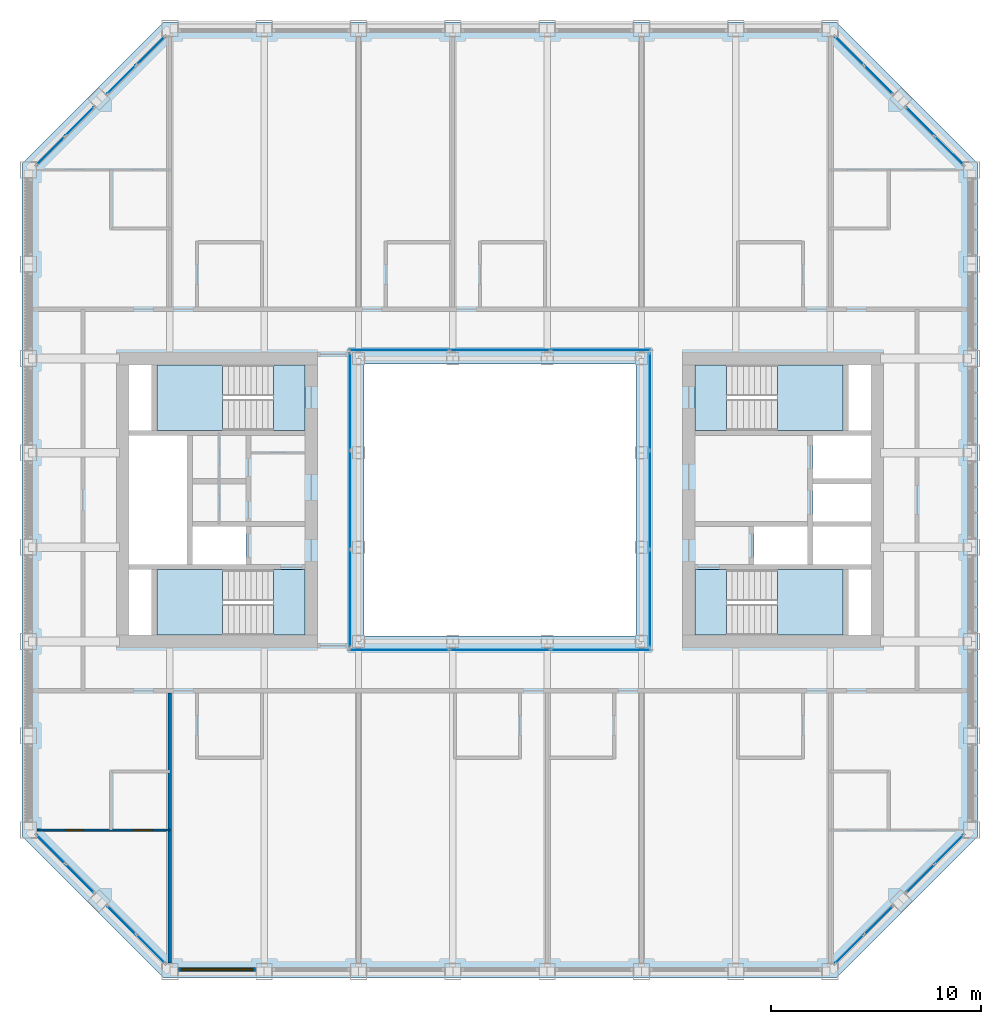
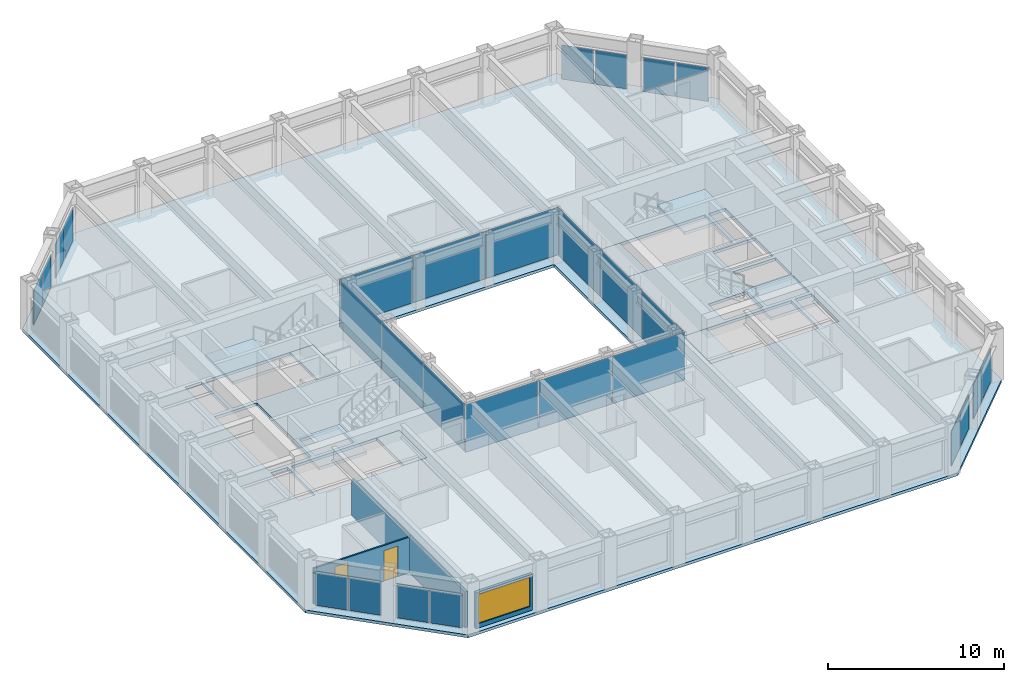
# One storey, part 9 of 17: 28 plates, 9 slabs, 3 walls, 2 doors, 1 window, 3 openings, 16 elements without a shape of their own.
"""IFC4 building model written with IfcOpenShell, lengths in metres."""

from ifc_helpers import new_model, si_unit, direction, frame, frame_2d, origin, origin_2d, place, context, subcontext, project, spatial, polyline, rectangle, outline, extrude, material, layer, layer_set, type_object, element, fill, aggregate, save


model = new_model("IFC4")

# Units and contexts
model_context = context("Model", 3, precision=1e-05, world=origin(), true_north=direction((0.0, 1.0)))
body_context = subcontext(model_context, "Body", "Model", "MODEL_VIEW")
ifc_project = project(units=[si_unit("LENGTHUNIT", "METRE"), si_unit("AREAUNIT", "SQUARE_METRE"), si_unit("VOLUMEUNIT", "CUBIC_METRE"), si_unit("PLANEANGLEUNIT", "RADIAN"), si_unit("MASSUNIT", "GRAM", prefix="KILO")], contexts=[model_context])

# Site, building, storey
site_placement = place(None, origin())
site = spatial("IfcSite", under=ifc_project, at=site_placement, CompositionType="ELEMENT")
building_placement = place(site_placement, origin())
building = spatial("IfcBuilding", under=site, at=building_placement, Name="Msasa Ring Tower", CompositionType="ELEMENT")
storey_placement = place(building_placement, frame((0.0, 0.0, 168.800048828125)))
storey = spatial("IfcBuildingStorey", under=building, at=storey_placement, Name="L44", CompositionType="ELEMENT", Elevation=168.800048828125)

# Curtain wall, plates
ifc_material_1 = material(Name="Aluminium curtain wall with clear glass", Category="aluminium")
curtain_wall_type_1 = type_object("IfcCurtainWallType", Name="CW-C CHAMFER CORNER CURTAIN WALL", PredefinedType="NOTDEFINED", material=ifc_material_1)
curtain_wall_1_placement = place(storey_placement, origin())
curtain_wall_1 = element("IfcCurtainWall", 1, at=curtain_wall_1_placement, inside=storey, type_object=curtain_wall_type_1, Name="Chamfer corner curtain wall SE L44", PredefinedType="NOTDEFINED")
ifc_material_2 = material(Name="Clear laminated insulating glass unit", Category="glass")
ifc_layer_1 = layer(ifc_material_2, 0.031982421875)
ifc_layer_set_1 = layer_set([ifc_layer_1], Name="CW-C GLASS PANEL 32")
plate_type_1 = type_object("IfcPlateType", Name="CW-C GLASS PANEL 32", PredefinedType="CURTAIN_PANEL", material=ifc_layer_set_1)
plate_1_placement = place(storey_placement, frame((16.677734375, -21.430908203125, 0.06494140625), z_axis=(0.0, 0.0, 1.0), x_axis=(0.707106781187, 0.707106781187, 0.0)))
plate_1 = element("IfcPlate", 2, at=plate_1_placement, type_object=plate_type_1, Name="CW-C panel 1.1", PredefinedType="CURTAIN_PANEL", context=body_context, shape_type="SweptSolid", body=[
    extrude(rectangle(XDim=1.884033203125, YDim=0.031982421875, at=origin_2d()), origin(), (0.0, 0.0, 1.0), 2.34912109375),
])
plate_2_placement = place(storey_placement, frame((18.055908203125, -20.052734375, 0.06494140625), z_axis=(0.0, 0.0, 1.0), x_axis=(0.707106781187, 0.707106781187, 0.0)))
plate_2 = element("IfcPlate", 3, at=plate_2_placement, type_object=plate_type_1, Name="CW-C panel 2.1", PredefinedType="CURTAIN_PANEL", context=body_context, shape_type="SweptSolid", body=[
    extrude(rectangle(XDim=1.884033203125, YDim=0.031982421875, at=origin_2d()), origin(), (0.0, 0.0, 1.0), 2.34912109375),
])
aggregate(curtain_wall_1, [plate_1, plate_2])

curtain_wall_2_placement = place(storey_placement, origin())
curtain_wall_2 = element("IfcCurtainWall", 4, at=curtain_wall_2_placement, inside=storey, type_object=curtain_wall_type_1, Name="Chamfer corner curtain wall SE L44", PredefinedType="NOTDEFINED")
plate_3_placement = place(storey_placement, frame((20.052734375, -18.055908203125, 0.06494140625), z_axis=(0.0, 0.0, 1.0), x_axis=(0.707106781187, 0.707106781187, 0.0)))
plate_3 = element("IfcPlate", 5, at=plate_3_placement, type_object=plate_type_1, Name="CW-C panel 1.1", PredefinedType="CURTAIN_PANEL", context=body_context, shape_type="SweptSolid", body=[
    extrude(rectangle(XDim=1.884033203125, YDim=0.031982421875, at=origin_2d()), origin(), (0.0, 0.0, 1.0), 2.34912109375),
])
plate_4_placement = place(storey_placement, frame((21.430908203125, -16.677734375, 0.06494140625), z_axis=(0.0, 0.0, 1.0), x_axis=(0.707106781187, 0.707106781187, 0.0)))
plate_4 = element("IfcPlate", 6, at=plate_4_placement, type_object=plate_type_1, Name="CW-C panel 2.1", PredefinedType="CURTAIN_PANEL", context=body_context, shape_type="SweptSolid", body=[
    extrude(rectangle(XDim=1.884033203125, YDim=0.031982421875, at=origin_2d()), origin(), (0.0, 0.0, 1.0), 2.34912109375),
])
aggregate(curtain_wall_2, [plate_3, plate_4])

curtain_wall_3_placement = place(storey_placement, origin())
curtain_wall_3 = element("IfcCurtainWall", 7, at=curtain_wall_3_placement, inside=storey, type_object=curtain_wall_type_1, Name="Chamfer corner curtain wall NE L44", PredefinedType="NOTDEFINED")
plate_5_placement = place(storey_placement, frame((18.055908203125, 20.052734375, 0.06494140625), z_axis=(0.0, 0.0, 1.0), x_axis=(-0.707106781187, 0.707106781187, 0.0)))
plate_5 = element("IfcPlate", 8, at=plate_5_placement, type_object=plate_type_1, Name="CW-C panel 1.1", PredefinedType="CURTAIN_PANEL", context=body_context, shape_type="SweptSolid", body=[
    extrude(rectangle(XDim=1.884033203125, YDim=0.031982421875, at=origin_2d()), origin(), (0.0, 0.0, 1.0), 2.34912109375),
])
plate_6_placement = place(storey_placement, frame((16.677734375, 21.430908203125, 0.06494140625), z_axis=(0.0, 0.0, 1.0), x_axis=(-0.707106781187, 0.707106781187, 0.0)))
plate_6 = element("IfcPlate", 9, at=plate_6_placement, type_object=plate_type_1, Name="CW-C panel 2.1", PredefinedType="CURTAIN_PANEL", context=body_context, shape_type="SweptSolid", body=[
    extrude(rectangle(XDim=1.884033203125, YDim=0.031982421875, at=origin_2d()), origin(), (0.0, 0.0, 1.0), 2.34912109375),
])
aggregate(curtain_wall_3, [plate_5, plate_6])

curtain_wall_4_placement = place(storey_placement, origin())
curtain_wall_4 = element("IfcCurtainWall", 10, at=curtain_wall_4_placement, inside=storey, type_object=curtain_wall_type_1, Name="Chamfer corner curtain wall NE L44", PredefinedType="NOTDEFINED")
plate_7_placement = place(storey_placement, frame((21.430908203125, 16.677734375, 0.06494140625), z_axis=(0.0, 0.0, 1.0), x_axis=(-0.707106781187, 0.707106781187, 0.0)))
plate_7 = element("IfcPlate", 11, at=plate_7_placement, type_object=plate_type_1, Name="CW-C panel 1.1", PredefinedType="CURTAIN_PANEL", context=body_context, shape_type="SweptSolid", body=[
    extrude(rectangle(XDim=1.884033203125, YDim=0.031982421875, at=origin_2d()), origin(), (0.0, 0.0, 1.0), 2.34912109375),
])
plate_8_placement = place(storey_placement, frame((20.052734375, 18.055908203125, 0.06494140625), z_axis=(0.0, 0.0, 1.0), x_axis=(-0.707106781187, 0.707106781187, 0.0)))
plate_8 = element("IfcPlate", 12, at=plate_8_placement, type_object=plate_type_1, Name="CW-C panel 2.1", PredefinedType="CURTAIN_PANEL", context=body_context, shape_type="SweptSolid", body=[
    extrude(rectangle(XDim=1.884033203125, YDim=0.031982421875, at=origin_2d()), origin(), (0.0, 0.0, 1.0), 2.34912109375),
])
aggregate(curtain_wall_4, [plate_7, plate_8])

curtain_wall_5_placement = place(storey_placement, origin())
curtain_wall_5 = element("IfcCurtainWall", 13, at=curtain_wall_5_placement, inside=storey, type_object=curtain_wall_type_1, Name="Chamfer corner curtain wall NW L44", PredefinedType="NOTDEFINED")
plate_9_placement = place(storey_placement, frame((-20.052734375, 18.055908203125, 0.06494140625), z_axis=(0.0, 0.0, 1.0), x_axis=(-0.707106781187, -0.707106781187, 0.0)))
plate_9 = element("IfcPlate", 14, at=plate_9_placement, type_object=plate_type_1, Name="CW-C panel 1.1", PredefinedType="CURTAIN_PANEL", context=body_context, shape_type="SweptSolid", body=[
    extrude(rectangle(XDim=1.884033203125, YDim=0.031982421875, at=origin_2d()), origin(), (0.0, 0.0, 1.0), 2.34912109375),
])
plate_10_placement = place(storey_placement, frame((-21.430908203125, 16.677734375, 0.06494140625), z_axis=(0.0, 0.0, 1.0), x_axis=(-0.707106781187, -0.707106781187, 0.0)))
plate_10 = element("IfcPlate", 15, at=plate_10_placement, type_object=plate_type_1, Name="CW-C panel 2.1", PredefinedType="CURTAIN_PANEL", context=body_context, shape_type="SweptSolid", body=[
    extrude(rectangle(XDim=1.884033203125, YDim=0.031982421875, at=origin_2d()), origin(), (0.0, 0.0, 1.0), 2.34912109375),
])
aggregate(curtain_wall_5, [plate_9, plate_10])

curtain_wall_6_placement = place(storey_placement, origin())
curtain_wall_6 = element("IfcCurtainWall", 16, at=curtain_wall_6_placement, inside=storey, type_object=curtain_wall_type_1, Name="Chamfer corner curtain wall NW L44", PredefinedType="NOTDEFINED")
plate_11_placement = place(storey_placement, frame((-16.677734375, 21.430908203125, 0.06494140625), z_axis=(0.0, 0.0, 1.0), x_axis=(-0.707106781187, -0.707106781187, 0.0)))
plate_11 = element("IfcPlate", 17, at=plate_11_placement, type_object=plate_type_1, Name="CW-C panel 1.1", PredefinedType="CURTAIN_PANEL", context=body_context, shape_type="SweptSolid", body=[
    extrude(rectangle(XDim=1.884033203125, YDim=0.031982421875, at=origin_2d()), origin(), (0.0, 0.0, 1.0), 2.34912109375),
])
plate_12_placement = place(storey_placement, frame((-18.055908203125, 20.052734375, 0.06494140625), z_axis=(0.0, 0.0, 1.0), x_axis=(-0.707106781187, -0.707106781187, 0.0)))
plate_12 = element("IfcPlate", 18, at=plate_12_placement, type_object=plate_type_1, Name="CW-C panel 2.1", PredefinedType="CURTAIN_PANEL", context=body_context, shape_type="SweptSolid", body=[
    extrude(rectangle(XDim=1.884033203125, YDim=0.031982421875, at=origin_2d()), origin(), (0.0, 0.0, 1.0), 2.34912109375),
])
aggregate(curtain_wall_6, [plate_11, plate_12])

curtain_wall_7_placement = place(storey_placement, origin())
curtain_wall_7 = element("IfcCurtainWall", 19, at=curtain_wall_7_placement, inside=storey, type_object=curtain_wall_type_1, Name="Chamfer corner curtain wall SW L44", PredefinedType="NOTDEFINED")
plate_13_placement = place(storey_placement, frame((-21.430908203125, -16.677734375, 0.06494140625), z_axis=(0.0, 0.0, 1.0), x_axis=(0.707106781187, -0.707106781187, 0.0)))
plate_13 = element("IfcPlate", 20, at=plate_13_placement, type_object=plate_type_1, Name="CW-C panel 1.1", PredefinedType="CURTAIN_PANEL", context=body_context, shape_type="SweptSolid", body=[
    extrude(rectangle(XDim=1.884033203125, YDim=0.031982421875, at=origin_2d()), origin(), (0.0, 0.0, 1.0), 2.34912109375),
])
plate_14_placement = place(storey_placement, frame((-20.052734375, -18.055908203125, 0.06494140625), z_axis=(0.0, 0.0, 1.0), x_axis=(0.707106781187, -0.707106781187, 0.0)))
plate_14 = element("IfcPlate", 21, at=plate_14_placement, type_object=plate_type_1, Name="CW-C panel 2.1", PredefinedType="CURTAIN_PANEL", context=body_context, shape_type="SweptSolid", body=[
    extrude(rectangle(XDim=1.884033203125, YDim=0.031982421875, at=origin_2d()), origin(), (0.0, 0.0, 1.0), 2.34912109375),
])
aggregate(curtain_wall_7, [plate_13, plate_14])

curtain_wall_8_placement = place(storey_placement, origin())
curtain_wall_8 = element("IfcCurtainWall", 22, at=curtain_wall_8_placement, inside=storey, type_object=curtain_wall_type_1, Name="Chamfer corner curtain wall SW L44", PredefinedType="NOTDEFINED")
plate_15_placement = place(storey_placement, frame((-18.055908203125, -20.052734375, 0.06494140625), z_axis=(0.0, 0.0, 1.0), x_axis=(0.707106781187, -0.707106781187, 0.0)))
plate_15 = element("IfcPlate", 23, at=plate_15_placement, type_object=plate_type_1, Name="CW-C panel 1.1", PredefinedType="CURTAIN_PANEL", context=body_context, shape_type="SweptSolid", body=[
    extrude(rectangle(XDim=1.884033203125, YDim=0.031982421875, at=origin_2d()), origin(), (0.0, 0.0, 1.0), 2.34912109375),
])
plate_16_placement = place(storey_placement, frame((-16.677734375, -21.430908203125, 0.06494140625), z_axis=(0.0, 0.0, 1.0), x_axis=(0.707106781187, -0.707106781187, 0.0)))
plate_16 = element("IfcPlate", 24, at=plate_16_placement, type_object=plate_type_1, Name="CW-C panel 2.1", PredefinedType="CURTAIN_PANEL", context=body_context, shape_type="SweptSolid", body=[
    extrude(rectangle(XDim=1.884033203125, YDim=0.031982421875, at=origin_2d()), origin(), (0.0, 0.0, 1.0), 2.34912109375),
])
aggregate(curtain_wall_8, [plate_15, plate_16])

ifc_material_3 = material(Name="Aluminium curtain wall with clear glass", Category="aluminium")
curtain_wall_type_2 = type_object("IfcCurtainWallType", Name="CW-W LIGHT WELL CURTAIN WALL", PredefinedType="NOTDEFINED", material=ifc_material_3)
curtain_wall_9_placement = place(storey_placement, origin())
curtain_wall_9 = element("IfcCurtainWall", 25, at=curtain_wall_9_placement, inside=storey, type_object=curtain_wall_type_2, Name="Light well curtain wall N L44", PredefinedType="NOTDEFINED")
ifc_material_4 = material(Name="Clear laminated insulating glass unit", Category="glass")
ifc_layer_2 = layer(ifc_material_4, 0.028076171875)
ifc_layer_set_2 = layer_set([ifc_layer_2], Name="CW-W GLASS PANEL 28")
plate_type_2 = type_object("IfcPlateType", Name="CW-W GLASS PANEL 28", PredefinedType="CURTAIN_PANEL", material=ifc_layer_set_2)
plate_17_placement = place(storey_placement, frame((-4.804931640625, 7.14990234375, 0.06005859375), z_axis=(0.0, 0.0, 1.0), x_axis=(1.0, 0.0, 0.0)))
plate_17 = element("IfcPlate", 26, at=plate_17_placement, type_object=plate_type_2, Name="CW-W panel 1.1", PredefinedType="CURTAIN_PANEL", context=body_context, shape_type="SweptSolid", body=[
    extrude(rectangle(XDim=4.72998046875, YDim=0.028076171875, at=origin_2d()), origin(), (0.0, 0.0, 1.0), 3.280029296875),
])
plate_18_placement = place(storey_placement, frame((0.0, 7.14990234375, 0.06005859375), z_axis=(0.0, 0.0, 1.0), x_axis=(1.0, 0.0, 0.0)))
plate_18 = element("IfcPlate", 27, at=plate_18_placement, type_object=plate_type_2, Name="CW-W panel 2.1", PredefinedType="CURTAIN_PANEL", context=body_context, shape_type="SweptSolid", body=[
    extrude(rectangle(XDim=4.760009765625, YDim=0.028076171875, at=origin_2d()), origin(), (0.0, 0.0, 1.0), 3.280029296875),
])
plate_19_placement = place(storey_placement, frame((4.804931640625, 7.14990234375, 0.06005859375), z_axis=(0.0, 0.0, 1.0), x_axis=(1.0, 0.0, 0.0)))
plate_19 = element("IfcPlate", 28, at=plate_19_placement, type_object=plate_type_2, Name="CW-W panel 3.1", PredefinedType="CURTAIN_PANEL", context=body_context, shape_type="SweptSolid", body=[
    extrude(rectangle(XDim=4.72998046875, YDim=0.028076171875, at=origin_2d()), origin(), (0.0, 0.0, 1.0), 3.280029296875),
])
aggregate(curtain_wall_9, [plate_17, plate_18, plate_19])

curtain_wall_10_placement = place(storey_placement, origin())
curtain_wall_10 = element("IfcCurtainWall", 29, at=curtain_wall_10_placement, inside=storey, type_object=curtain_wall_type_2, Name="Light well curtain wall S L44", PredefinedType="NOTDEFINED")
plate_20_placement = place(storey_placement, frame((-4.804931640625, -7.14990234375, 0.06005859375), z_axis=(0.0, 0.0, 1.0), x_axis=(1.0, 0.0, 0.0)))
plate_20 = element("IfcPlate", 30, at=plate_20_placement, type_object=plate_type_2, Name="CW-W panel 1.1", PredefinedType="CURTAIN_PANEL", context=body_context, shape_type="SweptSolid", body=[
    extrude(rectangle(XDim=4.72998046875, YDim=0.028076171875, at=origin_2d()), origin(), (0.0, 0.0, 1.0), 3.280029296875),
])
plate_21_placement = place(storey_placement, frame((0.0, -7.14990234375, 0.06005859375), z_axis=(0.0, 0.0, 1.0), x_axis=(1.0, 0.0, 0.0)))
plate_21 = element("IfcPlate", 31, at=plate_21_placement, type_object=plate_type_2, Name="CW-W panel 2.1", PredefinedType="CURTAIN_PANEL", context=body_context, shape_type="SweptSolid", body=[
    extrude(rectangle(XDim=4.760009765625, YDim=0.028076171875, at=origin_2d()), origin(), (0.0, 0.0, 1.0), 3.280029296875),
])
plate_22_placement = place(storey_placement, frame((4.804931640625, -7.14990234375, 0.06005859375), z_axis=(0.0, 0.0, 1.0), x_axis=(1.0, 0.0, 0.0)))
plate_22 = element("IfcPlate", 32, at=plate_22_placement, type_object=plate_type_2, Name="CW-W panel 3.1", PredefinedType="CURTAIN_PANEL", context=body_context, shape_type="SweptSolid", body=[
    extrude(rectangle(XDim=4.72998046875, YDim=0.028076171875, at=origin_2d()), origin(), (0.0, 0.0, 1.0), 3.280029296875),
])
aggregate(curtain_wall_10, [plate_20, plate_21, plate_22])

curtain_wall_11_placement = place(storey_placement, origin())
curtain_wall_11 = element("IfcCurtainWall", 33, at=curtain_wall_11_placement, inside=storey, type_object=curtain_wall_type_2, Name="Light well curtain wall E L44", PredefinedType="NOTDEFINED")
plate_23_placement = place(storey_placement, frame((7.14990234375, -4.6982421875, 0.06005859375), z_axis=(0.0, 0.0, 1.0), x_axis=(0.0, 1.0, 0.0)))
plate_23 = element("IfcPlate", 34, at=plate_23_placement, type_object=plate_type_2, Name="CW-W panel 1.1", PredefinedType="CURTAIN_PANEL", context=body_context, shape_type="SweptSolid", body=[
    extrude(rectangle(XDim=4.623291015625, YDim=0.028076171875, at=origin_2d()), origin(), (0.0, 0.0, 1.0), 3.280029296875),
])
plate_24_placement = place(storey_placement, frame((7.14990234375, 0.0, 0.06005859375), z_axis=(0.0, 0.0, 1.0), x_axis=(0.0, 1.0, 0.0)))
plate_24 = element("IfcPlate", 35, at=plate_24_placement, type_object=plate_type_2, Name="CW-W panel 2.1", PredefinedType="CURTAIN_PANEL", context=body_context, shape_type="SweptSolid", body=[
    extrude(rectangle(XDim=4.6533203125, YDim=0.028076171875, at=origin_2d()), origin(), (0.0, 0.0, 1.0), 3.280029296875),
])
plate_25_placement = place(storey_placement, frame((7.14990234375, 4.6982421875, 0.06005859375), z_axis=(0.0, 0.0, 1.0), x_axis=(0.0, 1.0, 0.0)))
plate_25 = element("IfcPlate", 36, at=plate_25_placement, type_object=plate_type_2, Name="CW-W panel 3.1", PredefinedType="CURTAIN_PANEL", context=body_context, shape_type="SweptSolid", body=[
    extrude(rectangle(XDim=4.623291015625, YDim=0.028076171875, at=origin_2d()), origin(), (0.0, 0.0, 1.0), 3.280029296875),
])
aggregate(curtain_wall_11, [plate_23, plate_24, plate_25])

curtain_wall_12_placement = place(storey_placement, origin())
curtain_wall_12 = element("IfcCurtainWall", 37, at=curtain_wall_12_placement, inside=storey, type_object=curtain_wall_type_2, Name="Light well curtain wall W L44", PredefinedType="NOTDEFINED")
plate_26_placement = place(storey_placement, frame((-7.14990234375, -4.6982421875, 0.06005859375), z_axis=(0.0, 0.0, 1.0), x_axis=(0.0, 1.0, 0.0)))
plate_26 = element("IfcPlate", 38, at=plate_26_placement, type_object=plate_type_2, Name="CW-W panel 1.1", PredefinedType="CURTAIN_PANEL", context=body_context, shape_type="SweptSolid", body=[
    extrude(rectangle(XDim=4.623291015625, YDim=0.028076171875, at=origin_2d()), origin(), (0.0, 0.0, 1.0), 3.280029296875),
])
plate_27_placement = place(storey_placement, frame((-7.14990234375, 0.0, 0.06005859375), z_axis=(0.0, 0.0, 1.0), x_axis=(0.0, 1.0, 0.0)))
plate_27 = element("IfcPlate", 39, at=plate_27_placement, type_object=plate_type_2, Name="CW-W panel 2.1", PredefinedType="CURTAIN_PANEL", context=body_context, shape_type="SweptSolid", body=[
    extrude(rectangle(XDim=4.6533203125, YDim=0.028076171875, at=origin_2d()), origin(), (0.0, 0.0, 1.0), 3.280029296875),
])
plate_28_placement = place(storey_placement, frame((-7.14990234375, 4.6982421875, 0.06005859375), z_axis=(0.0, 0.0, 1.0), x_axis=(0.0, 1.0, 0.0)))
plate_28 = element("IfcPlate", 40, at=plate_28_placement, type_object=plate_type_2, Name="CW-W panel 3.1", PredefinedType="CURTAIN_PANEL", context=body_context, shape_type="SweptSolid", body=[
    extrude(rectangle(XDim=4.623291015625, YDim=0.028076171875, at=origin_2d()), origin(), (0.0, 0.0, 1.0), 3.280029296875),
])
aggregate(curtain_wall_12, [plate_26, plate_27, plate_28])

# Stair, slabs
ifc_material_5 = material(Name="Concrete C40/50", Category="concrete")
stair_type = type_object("IfcStairType", Name="STC CORE STAIR 20 RISERS 180", PredefinedType="HALF_TURN_STAIR", material=ifc_material_5)
stair_1_placement = place(storey_placement, origin())
stair_1 = element("IfcStair", 41, at=stair_1_placement, inside=storey, type_object=stair_type, Name="Core stair SEA L44", PredefinedType="HALF_TURN_STAIR")
ifc_material_6 = material(Name="Concrete C40/50", Category="concrete")
ifc_layer_3 = layer(ifc_material_6, 0.199951171875)
ifc_layer_set_3 = layer_set([ifc_layer_3], Name="LD1 CORE STAIR LANDING 200")
slab_type_1 = type_object("IfcSlabType", Name="LD1 CORE STAIR LANDING 200", PredefinedType="LANDING", material=ifc_layer_set_3)
slab_1_placement = place(storey_placement, frame((0.0, 0.0, -0.199951171875)))
slab_1 = element("IfcSlab", 42, at=slab_1_placement, type_object=slab_type_1, Name="SEA landing 1", PredefinedType="LANDING", context=body_context, shape_type="SweptSolid", body=[
    extrude(outline(polyline([(9.300048828125, -6.449951171875), (10.800048828125, -6.449951171875), (10.800048828125, -3.324951171875), (9.300048828125, -3.324951171875), (9.300048828125, -6.449951171875)])), origin(), (0.0, 0.0, 1.0), 0.199951171875),
])
slab_2_placement = place(storey_placement, frame((0.0, 0.0, 1.599853515625)))
slab_2 = element("IfcSlab", 43, at=slab_2_placement, type_object=slab_type_1, Name="SEA landing 2", PredefinedType="LANDING", context=body_context, shape_type="SweptSolid", body=[
    extrude(outline(polyline([(13.22998046875, -6.449951171875), (16.375, -6.449951171875), (16.375, -3.324951171875), (13.22998046875, -3.324951171875), (13.22998046875, -6.449951171875)])), origin(), (0.0, 0.0, 1.0), 0.2001953125),
])
aggregate(stair_1, [slab_1, slab_2])

stair_2_placement = place(storey_placement, origin())
stair_2 = element("IfcStair", 44, at=stair_2_placement, inside=storey, type_object=stair_type, Name="Core stair SEB L44", PredefinedType="HALF_TURN_STAIR")
slab_3_placement = place(storey_placement, frame((0.0, 0.0, -0.199951171875)))
slab_3 = element("IfcSlab", 45, at=slab_3_placement, type_object=slab_type_1, Name="SEB landing 1", PredefinedType="LANDING", context=body_context, shape_type="SweptSolid", body=[
    extrude(outline(polyline([(9.300048828125, 3.324951171875), (10.800048828125, 3.324951171875), (10.800048828125, 6.449951171875), (9.300048828125, 6.449951171875), (9.300048828125, 3.324951171875)])), origin(), (0.0, 0.0, 1.0), 0.199951171875),
])
slab_4_placement = place(storey_placement, frame((0.0, 0.0, 1.599853515625)))
slab_4 = element("IfcSlab", 46, at=slab_4_placement, type_object=slab_type_1, Name="SEB landing 2", PredefinedType="LANDING", context=body_context, shape_type="SweptSolid", body=[
    extrude(outline(polyline([(13.22998046875, 3.324951171875), (16.375, 3.324951171875), (16.375, 6.449951171875), (13.22998046875, 6.449951171875), (13.22998046875, 3.324951171875)])), origin(), (0.0, 0.0, 1.0), 0.2001953125),
])
aggregate(stair_2, [slab_3, slab_4])

stair_3_placement = place(storey_placement, origin())
stair_3 = element("IfcStair", 47, at=stair_3_placement, inside=storey, type_object=stair_type, Name="Core stair SWA L44", PredefinedType="HALF_TURN_STAIR")
slab_5_placement = place(storey_placement, frame((0.0, 0.0, -0.199951171875)))
slab_5 = element("IfcSlab", 48, at=slab_5_placement, type_object=slab_type_1, Name="SWA landing 1", PredefinedType="LANDING", context=body_context, shape_type="SweptSolid", body=[
    extrude(outline(polyline([(-10.800048828125, -6.449951171875), (-9.300048828125, -6.449951171875), (-9.300048828125, -3.324951171875), (-10.800048828125, -3.324951171875), (-10.800048828125, -6.449951171875)])), origin(), (0.0, 0.0, 1.0), 0.199951171875),
])
slab_6_placement = place(storey_placement, frame((0.0, 0.0, 1.599853515625)))
slab_6 = element("IfcSlab", 49, at=slab_6_placement, type_object=slab_type_1, Name="SWA landing 2", PredefinedType="LANDING", context=body_context, shape_type="SweptSolid", body=[
    extrude(outline(polyline([(-16.375, -6.449951171875), (-13.22998046875, -6.449951171875), (-13.22998046875, -3.324951171875), (-16.375, -3.324951171875), (-16.375, -6.449951171875)])), origin(), (0.0, 0.0, 1.0), 0.2001953125),
])
aggregate(stair_3, [slab_5, slab_6])

stair_4_placement = place(storey_placement, origin())
stair_4 = element("IfcStair", 50, at=stair_4_placement, inside=storey, type_object=stair_type, Name="Core stair SWB L44", PredefinedType="HALF_TURN_STAIR")
slab_7_placement = place(storey_placement, frame((0.0, 0.0, -0.199951171875)))
slab_7 = element("IfcSlab", 51, at=slab_7_placement, type_object=slab_type_1, Name="SWB landing 1", PredefinedType="LANDING", context=body_context, shape_type="SweptSolid", body=[
    extrude(outline(polyline([(-10.800048828125, 3.324951171875), (-9.300048828125, 3.324951171875), (-9.300048828125, 6.449951171875), (-10.800048828125, 6.449951171875), (-10.800048828125, 3.324951171875)])), origin(), (0.0, 0.0, 1.0), 0.199951171875),
])
slab_8_placement = place(storey_placement, frame((0.0, 0.0, 1.599853515625)))
slab_8 = element("IfcSlab", 52, at=slab_8_placement, type_object=slab_type_1, Name="SWB landing 2", PredefinedType="LANDING", context=body_context, shape_type="SweptSolid", body=[
    extrude(outline(polyline([(-16.375, 3.324951171875), (-13.22998046875, 3.324951171875), (-13.22998046875, 6.449951171875), (-16.375, 6.449951171875), (-16.375, 3.324951171875)])), origin(), (0.0, 0.0, 1.0), 0.2001953125),
])
aggregate(stair_4, [slab_7, slab_8])

# Slab
ifc_material_7 = material(Name="Concrete C40/50", Category="concrete")
ifc_layer_4 = layer(ifc_material_7, 0.199951171875)
ifc_layer_set_4 = layer_set([ifc_layer_4], Name="S6 GUEST FLOOR 200")
slab_type_2 = type_object("IfcSlabType", Name="S6 GUEST FLOOR 200", PredefinedType="FLOOR", material=ifc_layer_set_4)
slab_9_placement = place(storey_placement, frame((0.0, 0.0, -0.199951171875)))
element("IfcSlab", 53, at=slab_9_placement, inside=storey, type_object=slab_type_2, Name="Floor slab L44", PredefinedType="FLOOR", context=body_context, shape_type="SweptSolid", body=[
    extrude(outline(polyline([(-16.050048828125, -22.800048828125), (16.050048828125, -22.800048828125), (22.800048828125, -16.050048828125), (22.800048828125, 16.050048828125), (16.050048828125, 22.800048828125), (-16.050048828125, 22.800048828125), (-22.800048828125, 16.050048828125), (-22.800048828125, -16.050048828125), (-16.050048828125, -22.800048828125)]), holes=[polyline([(-6.5, -6.5), (6.5, -6.5), (6.5, 6.5), (-6.5, 6.5), (-6.5, -6.5)]), polyline([(9.300048828125, -6.449951171875), (16.375, -6.449951171875), (16.375, -3.324951171875), (9.300048828125, -3.324951171875), (9.300048828125, -6.449951171875)]), polyline([(9.300048828125, 3.324951171875), (16.375, 3.324951171875), (16.375, 6.449951171875), (9.300048828125, 6.449951171875), (9.300048828125, 3.324951171875)]), polyline([(12.125, -3.074951171875), (14.675048828125, -3.074951171875), (14.675048828125, -1.27490234375), (12.125, -1.27490234375), (12.125, -3.074951171875)]), polyline([(16.625, -6.449951171875), (17.699951171875, -6.449951171875), (17.699951171875, -3.324951171875), (16.625, -3.324951171875), (16.625, -6.449951171875)]), polyline([(16.625, 3.324951171875), (17.699951171875, 3.324951171875), (17.699951171875, 6.449951171875), (16.625, 6.449951171875), (16.625, 3.324951171875)]), polyline([(14.925048828125, -3.074951171875), (17.699951171875, -3.074951171875), (17.699951171875, -1.27490234375), (14.925048828125, -1.27490234375), (14.925048828125, -3.074951171875)]), polyline([(14.925048828125, -1.02490234375), (17.699951171875, -1.02490234375), (17.699951171875, 0.77490234375), (14.925048828125, 0.77490234375), (14.925048828125, -1.02490234375)]), polyline([(14.925048828125, 1.02490234375), (17.699951171875, 1.02490234375), (17.699951171875, 3.074951171875), (14.925048828125, 3.074951171875), (14.925048828125, 1.02490234375)]), polyline([(-16.375, -6.449951171875), (-9.300048828125, -6.449951171875), (-9.300048828125, -3.324951171875), (-16.375, -3.324951171875), (-16.375, -6.449951171875)]), polyline([(-16.375, 3.324951171875), (-9.300048828125, 3.324951171875), (-9.300048828125, 6.449951171875), (-16.375, 6.449951171875), (-16.375, 3.324951171875)]), polyline([(-14.675048828125, -3.074951171875), (-12.125, -3.074951171875), (-12.125, -1.27490234375), (-14.675048828125, -1.27490234375), (-14.675048828125, -3.074951171875)]), polyline([(-17.699951171875, -6.449951171875), (-16.625, -6.449951171875), (-16.625, -3.324951171875), (-17.699951171875, -3.324951171875), (-17.699951171875, -6.449951171875)]), polyline([(-17.699951171875, 3.324951171875), (-16.625, 3.324951171875), (-16.625, 6.449951171875), (-17.699951171875, 6.449951171875), (-17.699951171875, 3.324951171875)]), polyline([(-17.699951171875, -3.074951171875), (-14.925048828125, -3.074951171875), (-14.925048828125, 3.074951171875), (-17.699951171875, 3.074951171875), (-17.699951171875, -3.074951171875)])]), origin(), (0.0, 0.0, 1.0), 0.199951171875),
])

# Wall, opening, window
ifc_material_8 = material(Name="Terracotta rainscreen on blockwork", Category="masonry")
ifc_layer_5 = layer(ifc_material_8, 0.199951171875)
ifc_layer_set_5 = layer_set([ifc_layer_5], Name="FW1 TERRACOTTA-LINED INFILL BAY WALL 200")
wall_type_1 = type_object("IfcWallType", Name="FW1 TERRACOTTA-LINED INFILL BAY WALL 200", PredefinedType="SOLIDWALL", material=ifc_layer_set_5)
wall_1_placement = place(storey_placement, frame((-15.344970703125, -22.39990234375, 0.0), z_axis=(0.0, 0.0, 1.0), x_axis=(1.0, 0.0, 0.0)))
wall_1 = element("IfcWall", 54, at=wall_1_placement, inside=storey, type_object=wall_type_1, Name="Infill bay wall S L44 00", PredefinedType="SOLIDWALL", context=body_context, shape_type="SweptSolid", body=[
    extrude(rectangle(XDim=3.68994140625, YDim=0.199951171875, at=frame_2d((1.844970703125, 0.0))), origin(), (0.0, 0.0, 1.0), 2.47900390625),
])
opening_1_placement = place(wall_1_placement, frame((0.14501953125, 0.0, 0.300048828125)))
opening_1 = element("IfcOpeningElement", 55, at=opening_1_placement, cuts=wall_1, Name="Opening WN2", PredefinedType="OPENING", context=body_context, shape_type="SweptSolid", body=[
    extrude(rectangle(XDim=3.39990234375, YDim=2.029052734375, at=frame_2d((1.699951171875, 1.0146484375))), frame((0.0, 0.10986328125, 0.0), z_axis=(0.0, -1.0, 0.0), x_axis=(1.0, 0.0, 0.0)), (0.0, 0.0, 1.0), 0.219970703125),
])
ifc_material_9 = material(Name="Aluminium frame with clear glass", Category="aluminium")
window_type = type_object("IfcWindowType", Name="WN2 GUEST ROOM WINDOW 3400x2029", PartitioningType="SINGLE_PANEL", PredefinedType="WINDOW", material=ifc_material_9)
window_placement = place(opening_1_placement, origin())
window = element("IfcWindow", 56, at=window_placement, inside=storey, type_object=window_type, Name="Window S L44 00", OverallHeight=2.029052734375, OverallWidth=3.39990234375, PartitioningType="SINGLE_PANEL", PredefinedType="WINDOW", context=body_context, shape_type="SweptSolid", body=[
    extrude(rectangle(XDim=3.39990234375, YDim=2.029052734375, at=frame_2d((1.699951171875, 1.0146484375))), frame((0.0, 0.030029296875, 0.0), z_axis=(0.0, -1.0, 0.0), x_axis=(1.0, 0.0, 0.0)), (0.0, 0.0, 1.0), 0.06005859375),
])
fill(opening_1, window)

# Wall, openings, doors
ifc_material_10 = material(Name="Gypsum board on steel studs", Category="steel")
ifc_layer_6 = layer(ifc_material_10, 0.10009765625)
ifc_layer_set_6 = layer_set([ifc_layer_6], Name="PT2 STUD PARTITION 100")
wall_type_2 = type_object("IfcWallType", Name="PT2 STUD PARTITION 100", PredefinedType="PARTITIONING", material=ifc_layer_set_6)
wall_2_placement = place(storey_placement, frame((-22.10009765625, -15.75, 0.0), z_axis=(0.0, 0.0, 1.0), x_axis=(1.0, 0.0, 0.0)))
wall_2 = element("IfcWall", 57, at=wall_2_placement, inside=storey, type_object=wall_type_2, Name="Partition L44-CSSWX", PredefinedType="PARTITIONING", context=body_context, shape_type="SweptSolid", body=[
    extrude(rectangle(XDim=6.35009765625, YDim=0.10009765625, at=frame_2d((3.175048828125, 0.0))), origin(), (0.0, 0.0, 1.0), 2.473388671875),
])
opening_2_placement = place(wall_2_placement, frame((1.375, 0.0, 0.0)))
opening_2 = element("IfcOpeningElement", 58, at=opening_2_placement, cuts=wall_2, Name="Opening HE-042", PredefinedType="OPENING", context=body_context, shape_type="SweptSolid", body=[
    extrude(rectangle(XDim=0.85009765625, YDim=2.10009765625, at=frame_2d((0.425048828125, 1.050048828125))), frame((0.0, 0.06005859375, 0.0), z_axis=(0.0, -1.0, 0.0), x_axis=(1.0, 0.0, 0.0)), (0.0, 0.0, 1.0), 0.1201171875),
])
opening_3_placement = place(wall_2_placement, frame((4.60009765625, 0.0, 0.0)))
opening_3 = element("IfcOpeningElement", 59, at=opening_3_placement, cuts=wall_2, Name="Opening HE-043", PredefinedType="OPENING", context=body_context, shape_type="SweptSolid", body=[
    extrude(rectangle(XDim=0.89990234375, YDim=2.10009765625, at=frame_2d((0.449951171875, 1.050048828125))), frame((0.0, 0.06005859375, 0.0), z_axis=(0.0, -1.0, 0.0), x_axis=(1.0, 0.0, 0.0)), (0.0, 0.0, 1.0), 0.1201171875),
])
ifc_material_11 = material(Name="Timber door leaf in a steel frame", Category="steel")
door_type_1 = type_object("IfcDoorType", Name="D14 BEDROOM DOOR 850x2100", OperationType="SINGLE_SWING_LEFT", PredefinedType="DOOR", material=ifc_material_11)
door_1_placement = place(opening_2_placement, origin())
door_1 = element("IfcDoor", 60, at=door_1_placement, inside=storey, type_object=door_type_1, Name="Door L44-CSSWR1", OperationType="SINGLE_SWING_LEFT", OverallHeight=2.10009765625, OverallWidth=0.85009765625, PredefinedType="DOOR", context=body_context, shape_type="SweptSolid", body=[
    extrude(rectangle(XDim=0.85009765625, YDim=2.10009765625, at=frame_2d((0.425048828125, 1.050048828125))), frame((0.0, 0.02490234375, 0.0), z_axis=(0.0, -1.0, 0.0), x_axis=(1.0, 0.0, 0.0)), (0.0, 0.0, 1.0), 0.050048828125),
])
fill(opening_2, door_1)
ifc_material_12 = material(Name="Timber door leaf in a steel frame", Category="steel")
door_type_2 = type_object("IfcDoorType", Name="D3 BATHROOM DOOR 900x2100", OperationType="SINGLE_SWING_LEFT", PredefinedType="DOOR", material=ifc_material_12)
door_2_placement = place(opening_3_placement, origin())
door_2 = element("IfcDoor", 61, at=door_2_placement, inside=storey, type_object=door_type_2, Name="Door L44-CSSWB1", OperationType="SINGLE_SWING_RIGHT", OverallHeight=2.10009765625, OverallWidth=0.89990234375, PredefinedType="DOOR", context=body_context, shape_type="SweptSolid", body=[
    extrude(rectangle(XDim=0.89990234375, YDim=2.10009765625, at=frame_2d((0.449951171875, 1.050048828125))), frame((0.0, 0.02490234375, 0.0), z_axis=(0.0, -1.0, 0.0), x_axis=(1.0, 0.0, 0.0)), (0.0, 0.0, 1.0), 0.050048828125),
])
fill(opening_3, door_2)

# Wall
ifc_material_13 = material(Name="Twin steel studs, two layers of acoustic board each face, mineral wool", Category="steel")
ifc_layer_7 = layer(ifc_material_13, 0.175048828125)
ifc_layer_set_7 = layer_set([ifc_layer_7], Name="PT5 GUEST ROOM SEPARATING WALL 175")
wall_type_3 = type_object("IfcWallType", Name="PT5 GUEST ROOM SEPARATING WALL 175", PredefinedType="PARTITIONING", material=ifc_layer_set_7)
wall_3_placement = place(storey_placement, frame((-15.75, -22.10009765625, 0.0), z_axis=(0.0, 0.0, 1.0), x_axis=(0.0, 1.0, 0.0)))
element("IfcWall", 62, at=wall_3_placement, inside=storey, type_object=wall_type_3, Name="Partition L44-PWS-15.75", PredefinedType="PARTITIONING", context=body_context, shape_type="SweptSolid", body=[
    extrude(rectangle(XDim=12.900146484375, YDim=0.175048828125, at=frame_2d((6.4501953125, 0.0))), origin(), (0.0, 0.0, 1.0), 2.473388671875),
])

save(model, "model.ifc")
